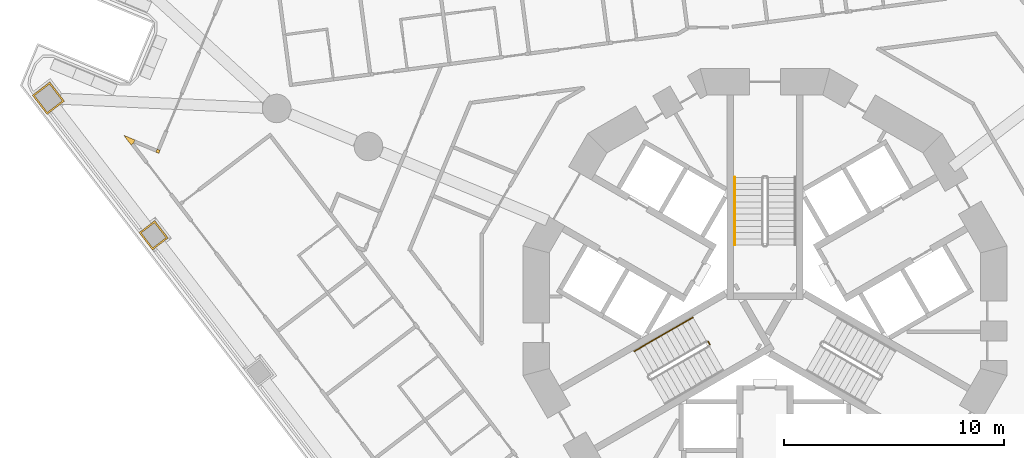
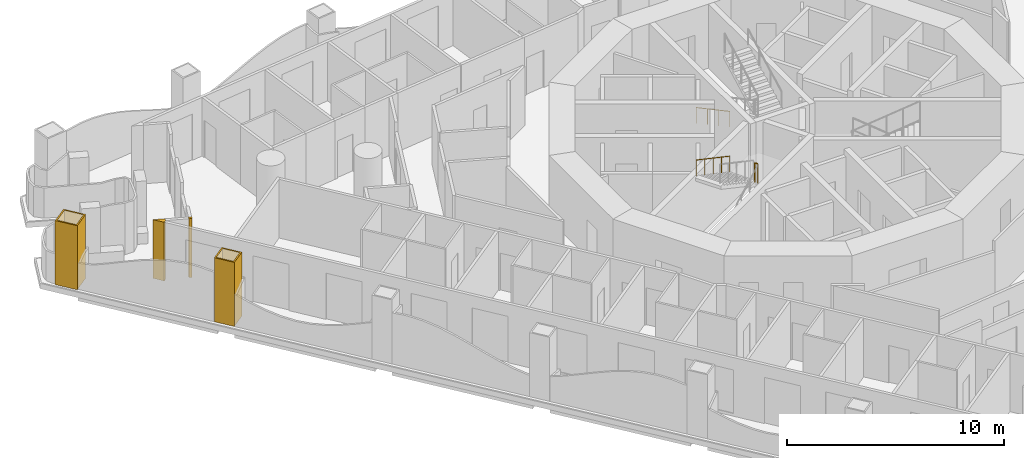
# One storey, part 15 of 19: 4 coverings, 4 railings.
"""IFC4 building model written with IfcOpenShell, lengths in metres."""

import ifcopenshell
import ifcopenshell.guid

model = None  # the IFC model being written
_history = None  # IfcOwnerHistory: only IFC2X3 demands one
_inside = {}  # id of a spatial element -> (the spatial element, [elements in it])
_under = {}  # id of a project, library or spatial element -> (it, [spatial elements below it])
_declared = {}  # id of a project -> (the project, [libraries it declares])
_typed = {}  # id of a type object -> (the type object, [elements of that type])
_made_of = {}  # id of a material, layer set ... -> (it, [elements and type objects made of it])


def new_model(schema):
    """Start an empty IFC model of exactly this schema.

    Asked for "IFC4X3", IfcOpenShell would pick the latest addendum, in which some entities
    have other attributes; the version numbers below select the first issue.
    IFC2X3 requires an IfcOwnerHistory on every rooted entity: one is made here for all.
    """
    global model, _history
    if schema == "IFC4X3":
        model = ifcopenshell.file(schema_version=(4, 3, 0, 0))
    else:
        model = ifcopenshell.file(schema=schema)
    _inside.clear()
    _under.clear()
    _declared.clear()
    _typed.clear()
    _made_of.clear()
    _history = None
    if model.schema == "IFC2X3":
        org = make("IfcOrganization", Name="unknown")
        user = make(
            "IfcPersonAndOrganization",
            ThePerson=make("IfcPerson", FamilyName="unknown"),
            TheOrganization=org,
        )
        app = make(
            "IfcApplication",
            ApplicationDeveloper=org,
            Version="unknown",
            ApplicationFullName="unknown",
            ApplicationIdentifier="unknown",
        )
        _history = make(
            "IfcOwnerHistory",
            OwningUser=user,
            OwningApplication=app,
            ChangeAction="ADDED",
            CreationDate=0,
        )
    return model


def make(cls, **values):
    """One entity of the class cls with the attributes given. An attribute that is None is left unset."""
    return model.create_entity(
        cls, **{name: value for name, value in values.items() if value is not None}
    )


def rooted(cls, **values):
    """An entity with a GlobalId (a new one), such as an element, a storey or a relation."""
    return make(cls, GlobalId=ifcopenshell.guid.new(), OwnerHistory=_history, **values)


def si_unit(unit_type, name, prefix=None):
    """IfcSIUnit, for example si_unit("LENGTHUNIT", "METRE", prefix="MILLI")."""
    return make("IfcSIUnit", UnitType=unit_type, Prefix=prefix, Name=name)


def assignment(units):
    """IfcUnitAssignment: the units of a project."""
    return None if units is None else make("IfcUnitAssignment", Units=units)


def point(xyz):
    """IfcCartesianPoint."""
    return None if xyz is None else make("IfcCartesianPoint", Coordinates=xyz)


def direction(xyz):
    """IfcDirection."""
    return None if xyz is None else make("IfcDirection", DirectionRatios=xyz)


def frame(location, z_axis=None, x_axis=None):
    """IfcAxis2Placement3D, a coordinate frame: its origin and axes. An axis left out is left unset."""
    return make(
        "IfcAxis2Placement3D",
        Location=point(location),
        Axis=direction(z_axis),
        RefDirection=direction(x_axis),
    )


def frame_2d(location, x_axis=None):
    """IfcAxis2Placement2D, a coordinate frame in the plane: its origin and x axis."""
    return make(
        "IfcAxis2Placement2D", Location=point(location), RefDirection=direction(x_axis)
    )


def origin():
    """The frame at (0, 0, 0) with its axes left unset."""
    return frame((0.0, 0.0, 0.0))


def origin_2d():
    """The frame at (0, 0) in the plane with its x axis left unset."""
    return frame_2d((0.0, 0.0))


def place(relative_to, where):
    """IfcLocalPlacement: puts the frame where relative to a parent placement (None: the world)."""
    return make(
        "IfcLocalPlacement", PlacementRelTo=relative_to, RelativePlacement=where
    )


def context(
    kind, dimensions, precision=None, world=None, true_north=None, identifier=None
):
    """IfcGeometricRepresentationContext, for example the 3D "Model" context."""
    return make(
        "IfcGeometricRepresentationContext",
        ContextIdentifier=identifier,
        ContextType=kind,
        CoordinateSpaceDimension=dimensions,
        Precision=precision,
        WorldCoordinateSystem=world,
        TrueNorth=true_north,
    )


def subcontext(parent, identifier, kind, view, scale=None):
    """IfcGeometricRepresentationSubContext, for example "Body" below "Model"."""
    return make(
        "IfcGeometricRepresentationSubContext",
        ContextIdentifier=identifier,
        ContextType=kind,
        ParentContext=parent,
        TargetScale=scale,
        TargetView=view,
    )


def project(units=None, contexts=None):
    """IfcProject with its units and contexts."""
    return rooted(
        "IfcProject",
        Name="project",
        RepresentationContexts=contexts,
        UnitsInContext=assignment(units),
    )


def spatial(cls, under=None, at=None, **own):
    """A site, building, storey or space (cls), placed at a placement, below another one or the project."""
    s = rooted(cls, ObjectPlacement=at, **own)
    if under is not None:
        _under.setdefault(under.id(), (under, []))[1].append(s)
    return s


def polyline(points):
    """IfcPolyline through the points."""
    return make("IfcPolyline", Points=[point(p) for p in points])


def profile(cls, at=None, kind="AREA", **sizes):
    """A parametric profile (cls). Its sizes go by their IFC names, for example OverallWidth=200.0."""
    return make(cls, ProfileType=kind, Position=at, **sizes)


def circle(**sizes):
    """IfcCircleProfileDef."""
    return profile("IfcCircleProfileDef", **sizes)


def outline(outer, holes=None, kind="AREA"):
    """IfcArbitraryClosedProfileDef: a profile drawn as a closed curve; with holes, ...WithVoids."""
    if holes is None:
        return make("IfcArbitraryClosedProfileDef", ProfileType=kind, OuterCurve=outer)
    return make(
        "IfcArbitraryProfileDefWithVoids",
        ProfileType=kind,
        OuterCurve=outer,
        InnerCurves=holes,
    )


def extrude(swept, where, along, depth):
    """IfcExtrudedAreaSolid: the profile swept, set in the frame where, extruded along a direction by depth."""
    return make(
        "IfcExtrudedAreaSolid",
        SweptArea=swept,
        Position=where,
        ExtrudedDirection=direction(along),
        Depth=depth,
    )


def shape(context_of_items, identifier, shape_type, items):
    """IfcShapeRepresentation: the items that make up one representation, for example the "Body"."""
    return make(
        "IfcShapeRepresentation",
        ContextOfItems=context_of_items,
        RepresentationIdentifier=identifier,
        RepresentationType=shape_type,
        Items=items,
    )


def material(Name=None, Category=None):
    """IfcMaterial."""
    return make("IfcMaterial", Name=Name, Category=Category)


def layer(
    of_material, thickness, ventilated=None, Name=None, Category=None, Priority=None
):
    """IfcMaterialLayer: one layer of a wall or slab, of a material (None: an air gap)."""
    return make(
        "IfcMaterialLayer",
        Material=of_material,
        LayerThickness=thickness,
        IsVentilated=ventilated,
        Name=Name,
        Category=Category,
        Priority=Priority,
    )


def layer_set(layers, Name=None):
    """IfcMaterialLayerSet."""
    return make("IfcMaterialLayerSet", MaterialLayers=layers, LayerSetName=Name)


def made_of(thing, what):
    """Note that an element or type object is made of a material, layer set ...; save() writes the relation."""
    if what is not None:
        _made_of.setdefault(what.id(), (what, []))[1].append(thing)
    return thing


def type_object(cls, material=None, **own):
    """A type object (cls), such as IfcWallType, which elements share."""
    return made_of(rooted(cls, **own), material)


def element(
    cls,
    number,
    at=None,
    inside=None,
    cuts=None,
    type_object=None,
    material=None,
    context=None,
    identifier="Body",
    shape_type=None,
    held_by="IfcProductDefinitionShape",
    body=None,
    shapes=None,
    **own,
):
    """One element of the class cls, such as IfcWall. Its Tag is "e" and its number.

    at: its placement. inside: the storey or other place that contains it. cuts: it is an
    opening in that element (IfcRelVoidsElement). A single representation is given by context,
    identifier, shape_type and body (its items); several are given by shapes. held_by: the class
    of the entity that holds the representations. save() writes the other relations.
    """
    e = rooted(cls, Tag="e%d" % number, ObjectPlacement=at, **own)
    if body is not None:
        shapes = [shape(context, identifier, shape_type, body)]
    if shapes is not None:
        e.Representation = make(held_by, Representations=shapes)
    if inside is not None:
        _inside.setdefault(inside.id(), (inside, []))[1].append(e)
    if cuts is not None:
        rooted(
            "IfcRelVoidsElement", RelatingBuildingElement=cuts, RelatedOpeningElement=e
        )
    if type_object is not None:
        _typed.setdefault(type_object.id(), (type_object, []))[1].append(e)
    return made_of(e, material)


def aggregate(whole, parts):
    """IfcRelAggregates: a whole, such as a stair, and the parts it consists of."""
    return rooted("IfcRelAggregates", RelatingObject=whole, RelatedObjects=parts)


def save(model, path):
    """Write the relations noted so far, then the file.

    IfcRelAggregates (storeys below a building ...), IfcRelContainedInSpatialStructure (elements
    in a storey), IfcRelDefinesByType, IfcRelAssociatesMaterial and IfcRelDeclares: one each for
    every whole, place, type object, material and project.
    """
    for whole, parts in _under.values():
        aggregate(whole, parts)
    for where, things in _inside.values():
        rooted(
            "IfcRelContainedInSpatialStructure",
            RelatedElements=things,
            RelatingStructure=where,
        )
    for kind, things in _typed.values():
        rooted("IfcRelDefinesByType", RelatedObjects=things, RelatingType=kind)
    for what, things in _made_of.values():
        rooted("IfcRelAssociatesMaterial", RelatedObjects=things, RelatingMaterial=what)
    for by, libraries in _declared.values():
        rooted("IfcRelDeclares", RelatingContext=by, RelatedDefinitions=libraries)
    model.write(path)


model = new_model("IFC4")

# Units and contexts
model_context = context("Model", 3, precision=1e-05, world=origin(), true_north=direction((0.0, 1.0)))
body_context = subcontext(model_context, "Body", "Model", "MODEL_VIEW")
ifc_project = project(units=[si_unit("LENGTHUNIT", "METRE"), si_unit("AREAUNIT", "SQUARE_METRE"), si_unit("VOLUMEUNIT", "CUBIC_METRE"), si_unit("PLANEANGLEUNIT", "RADIAN"), si_unit("MASSUNIT", "GRAM", prefix="KILO")], contexts=[model_context])

# Site, building, storey
site_placement = place(None, origin())
site = spatial("IfcSite", under=ifc_project, at=site_placement, CompositionType="ELEMENT")
building_placement = place(site_placement, origin())
building = spatial("IfcBuilding", under=site, at=building_placement, Name="Trine Commons Tower", CompositionType="ELEMENT")
storey_placement = place(building_placement, frame((0.0, 0.0, 54.0)))
storey = spatial("IfcBuildingStorey", under=building, at=storey_placement, Name="L12", CompositionType="ELEMENT", Elevation=54.0)

# Coverings
ifc_material_1 = material(Name="Aluminium-framed insulated wall panel", Category="aluminium")
ifc_layer_1 = layer(ifc_material_1, 0.14990234375)
ifc_layer_set_1 = layer_set([ifc_layer_1], Name="Aluminium-framed insulated wall panel")
covering_type_1 = type_object("IfcCoveringType", Name="Glazing corner post, aluminium", PredefinedType="CLADDING", material=ifc_layer_set_1)
covering_1_placement = place(storey_placement, origin())
element("IfcCovering", 1, at=covering_1_placement, inside=storey, type_object=covering_type_1, Name="Glazing corner post 2-01", PredefinedType="CLADDING", context=body_context, shape_type="SweptSolid", body=[
    extrude(outline(polyline([(51.165771484375, 70.038330078125), (51.28466796875, 70.129638671875), (51.342041015625, 70.268310546875), (50.824951171875, 70.482421875), (51.165771484375, 70.038330078125)])), origin(), (0.0, 0.0, 1.0), 3.300048828125),
])
covering_2_placement = place(storey_placement, origin())
element("IfcCovering", 2, at=covering_2_placement, inside=storey, type_object=covering_type_1, Name="Glazing corner post 2-02", PredefinedType="CLADDING", context=body_context, shape_type="SweptSolid", body=[
    extrude(outline(polyline([(52.28759765625, 69.714111328125), (52.42626953125, 69.65673828125), (52.483642578125, 69.79541015625), (52.34521484375, 69.852783203125), (52.28759765625, 69.714111328125)])), origin(), (0.0, 0.0, 1.0), 3.300048828125),
])
ifc_material_2 = material(Name="Limestone, honed", Category="masonry")
ifc_layer_2 = layer(ifc_material_2, 0.074951171875)
ifc_layer_set_2 = layer_set([ifc_layer_2], Name="Limestone, honed")
covering_type_2 = type_object("IfcCoveringType", Name="Limestone column cladding 75", PredefinedType="CLADDING", material=ifc_layer_set_2)
covering_3_placement = place(storey_placement, origin())
element("IfcCovering", 3, at=covering_3_placement, inside=storey, type_object=covering_type_2, Name="Limestone pier cladding 2-07", PredefinedType="CLADDING", context=body_context, shape_type="SweptSolid", body=[
    extrude(outline(polyline([(52.240966796875, 66.599853515625), (51.527099609375, 66.052001953125), (52.1357421875, 65.2587890625), (52.849853515625, 65.806640625), (52.240966796875, 66.599853515625)]), holes=[polyline([(52.227294921875, 66.494873046875), (51.632080078125, 66.0380859375), (52.149658203125, 65.36376953125), (52.74462890625, 65.8203125), (52.227294921875, 66.494873046875)])]), origin(), (0.0, 0.0, 1.0), 3.60009765625),
])
covering_4_placement = place(storey_placement, origin())
element("IfcCovering", 4, at=covering_4_placement, inside=storey, type_object=covering_type_2, Name="Limestone pier cladding 2-08", PredefinedType="CLADDING", context=body_context, shape_type="SweptSolid", body=[
    extrude(outline(polyline([(47.465087890625, 72.90625), (46.671630859375, 72.297607421875), (47.34130859375, 71.4248046875), (48.134765625, 72.033447265625), (47.465087890625, 72.90625)]), holes=[polyline([(47.451171875, 72.801025390625), (46.77685546875, 72.28369140625), (47.355224609375, 71.52978515625), (48.029541015625, 72.04736328125), (47.451171875, 72.801025390625)])]), origin(), (0.0, 0.0, 1.0), 3.60009765625),
])

# Railings
ifc_material_3 = material(Name="Stainless steel balustrade", Category="steel")
railing_type_1 = type_object("IfcRailingType", Name="Stair guard, steel balustrade 1100", PredefinedType="GUARDRAIL", material=ifc_material_3)
railing_1_placement = place(storey_placement, frame((77.490966796875, 60.96484375, 1.800048828125)))
element("IfcRailing", 5, at=railing_1_placement, inside=storey, type_object=railing_type_1, Name="L12 ST2A stair guard 2", PredefinedType="GUARDRAIL", context=body_context, shape_type="SweptSolid", body=[
    extrude(circle(Radius=0.02392578125, at=origin_2d()), frame((0.0, 0.0, 1.076171875), z_axis=(-0.501036270542, 0.865426285481, 0.0), x_axis=(-0.865426285481, -0.501036270542, 0.0)), (0.0, 0.0, 1.0), 0.150146484375),
    extrude(circle(Radius=0.02099609375, at=origin_2d()), origin(), (0.0, 0.0, 1.0), 1.052001953125),
    extrude(circle(Radius=0.02099609375, at=origin_2d()), frame((-0.0751953125, 0.1298828125, 0.0)), (0.0, 0.0, 1.0), 1.052001953125),
])
ifc_material_4 = material(Name="Stainless steel handrail", Category="steel")
railing_type_2 = type_object("IfcRailingType", Name="Stair handrail, steel 900", PredefinedType="HANDRAIL", material=ifc_material_4)
railing_2_placement = place(storey_placement, frame((78.625, 68.570556640625, 0.14990234375)))
element("IfcRailing", 6, at=railing_2_placement, inside=storey, type_object=railing_type_2, Name="L12 ST1A stair handrail 1", PredefinedType="HANDRAIL", context=body_context, shape_type="SweptSolid", body=[
    extrude(circle(Radius=0.02099609375, at=origin_2d()), frame((0.0, 0.0, 0.87890625), z_axis=(0.0, -0.881467505477, 0.472244678941), x_axis=(1.0, 0.0, 0.0)), (0.0, 0.0, 1.0), 3.494140625),
    extrude(circle(Radius=0.01513671875, at=origin_2d()), origin(), (0.0, 0.0, 1.0), 0.85791015625),
    extrude(circle(Radius=0.01513671875, at=origin_2d()), frame((0.0, -1.026611328125, 0.550048828125)), (0.0, 0.0, 1.0), 0.85791015625),
    extrude(circle(Radius=0.01513671875, at=origin_2d()), frame((0.0, -2.053466796875, 1.10009765625)), (0.0, 0.0, 1.0), 0.85791015625),
    extrude(circle(Radius=0.01513671875, at=origin_2d()), frame((0.0, -3.080078125, 1.650146484375)), (0.0, 0.0, 1.0), 0.85791015625),
])
railing_3_placement = place(storey_placement, frame((76.72265625, 62.195556640625, 1.949951171875)))
element("IfcRailing", 7, at=railing_3_placement, inside=storey, type_object=railing_type_2, Name="L12 ST2A stair handrail 3", PredefinedType="HANDRAIL", context=body_context, shape_type="SweptSolid", body=[
    extrude(circle(Radius=0.02099609375, at=origin_2d()), frame((0.0, 0.0, 0.87890625), z_axis=(-0.76340495495, -0.440743040072, 0.472184759798), x_axis=(0.499992328818, -0.866029832698, 0.0)), (0.0, 0.0, 1.0), 1.7470703125),
    extrude(circle(Radius=0.01513671875, at=origin_2d()), origin(), (0.0, 0.0, 1.0), 0.85791015625),
    extrude(circle(Radius=0.01513671875, at=origin_2d()), frame((-0.6669921875, -0.385009765625, 0.41259765625)), (0.0, 0.0, 1.0), 0.85791015625),
    extrude(circle(Radius=0.01513671875, at=origin_2d()), frame((-1.333740234375, -0.77001953125, 0.824951171875)), (0.0, 0.0, 1.0), 0.85791015625),
])
railing_4_placement = place(storey_placement, frame((75.388916015625, 61.425537109375, 2.77490234375)))
element("IfcRailing", 8, at=railing_4_placement, inside=storey, type_object=railing_type_2, Name="L12 ST2A stair handrail 4", PredefinedType="HANDRAIL", context=body_context, shape_type="SweptSolid", body=[
    extrude(circle(Radius=0.02099609375, at=origin_2d()), frame((0.0, 0.0, 0.87890625), z_axis=(-0.763354580307, -0.440713956853, 0.472293333596), x_axis=(0.499992328818, -0.866029832698, 0.0)), (0.0, 0.0, 1.0), 1.747314453125),
    extrude(circle(Radius=0.01513671875, at=origin_2d()), origin(), (0.0, 0.0, 1.0), 0.85791015625),
    extrude(circle(Radius=0.01513671875, at=origin_2d()), frame((-0.6669921875, -0.385009765625, 0.41259765625)), (0.0, 0.0, 1.0), 0.85791015625),
    extrude(circle(Radius=0.01513671875, at=origin_2d()), frame((-1.333740234375, -0.77001953125, 0.8251953125)), (0.0, 0.0, 1.0), 0.85791015625),
])

save(model, "model.ifc")
